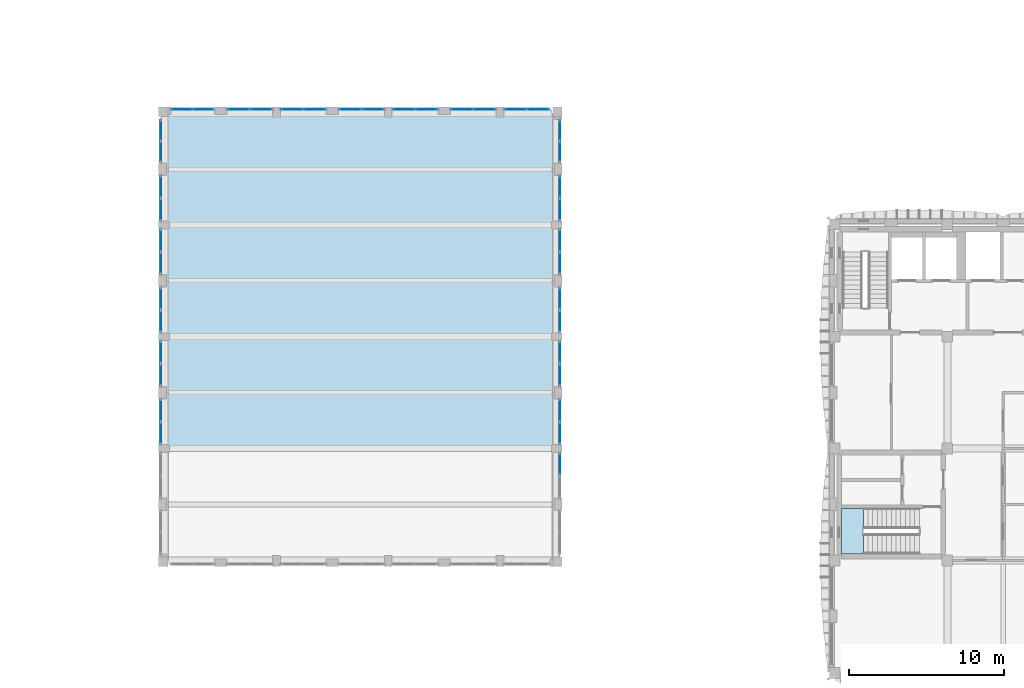
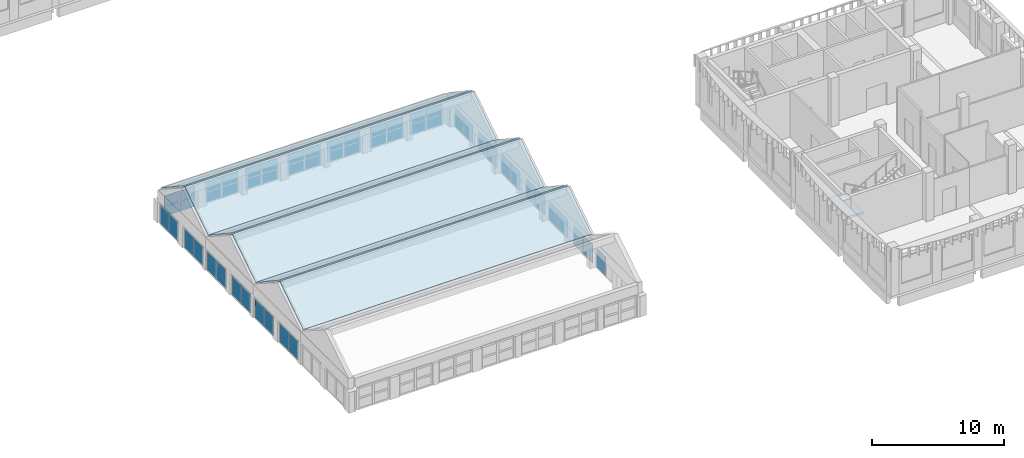
# One storey, part 8 of 38: 53 plates, 7 slabs, 21 elements without a shape of their own.
"""IFC4 building model written with IfcOpenShell, lengths in metres."""

from ifc_helpers import new_model, si_unit, direction, frame, origin, origin_2d, place, context, subcontext, project, spatial, polyline, rectangle, outline, extrude, material, layer, layer_set, type_object, element, aggregate, save


model = new_model("IFC4")

# Units and contexts
model_context = context("Model", 3, precision=1e-05, world=origin(), true_north=direction((0.0, 1.0)))
body_context = subcontext(model_context, "Body", "Model", "MODEL_VIEW")
ifc_project = project(units=[si_unit("LENGTHUNIT", "METRE"), si_unit("AREAUNIT", "SQUARE_METRE"), si_unit("VOLUMEUNIT", "CUBIC_METRE"), si_unit("PLANEANGLEUNIT", "RADIAN"), si_unit("MASSUNIT", "GRAM", prefix="KILO")], contexts=[model_context])

# Site, building, storey
site_placement = place(None, origin())
site = spatial("IfcSite", under=ifc_project, at=site_placement, CompositionType="ELEMENT")
building_placement = place(site_placement, origin())
building = spatial("IfcBuilding", under=site, at=building_placement, Name="Ussher Court Research Institute", CompositionType="ELEMENT")
storey_placement = place(building_placement, frame((0.0, 0.0, 23.39990234375)))
storey = spatial("IfcBuildingStorey", under=building, at=storey_placement, Name="L05", CompositionType="ELEMENT", Elevation=23.39990234375)

# Slabs
ifc_material_1 = material(Name="Concrete C35/45", Category="concrete")
ifc_layer_1 = layer(ifc_material_1, 0.14990234375)
ifc_layer_set_1 = layer_set([ifc_layer_1], Name="Concrete C35/45")
slab_type_1 = type_object("IfcSlabType", Name="Folded roof plate 150", PredefinedType="ROOF", material=ifc_layer_set_1)
slab_1_placement = place(storey_placement, frame((39.0, 18.39990234375, 3.0), z_axis=(0.0, -0.554686866501, 0.832059180667), x_axis=(1.0, 0.0, 0.0)))
element("IfcSlab", 1, at=slab_1_placement, inside=storey, type_object=slab_type_1, Name="FP150 V2 L05-03", PredefinedType="ROOF", context=body_context, shape_type="SweptSolid", body=[
    extrude(outline(polyline([(0.0, 0.0), (25.199951171875, 0.0), (25.199951171875, 4.226677362428985), (0.0, 4.226677362428985), (0.0, 0.0)])), origin(), (0.0, 0.0, -1.0), 0.14990234375),
])
slab_2_placement = place(storey_placement, frame((39.0, 25.60009765625, 3.0), z_axis=(0.0, 0.554686866501, 0.832059180667), x_axis=(1.0, 0.0, 0.0)))
element("IfcSlab", 2, at=slab_2_placement, inside=storey, type_object=slab_type_1, Name="FP150 V2 L05-04", PredefinedType="ROOF", context=body_context, shape_type="SweptSolid", body=[
    extrude(outline(polyline([(0.0, 0.0), (25.199951171875, 0.0), (25.199951171875, -4.226677362428985), (0.0, -4.226677362428985), (0.0, 0.0)])), origin(), (0.0, 0.0, -1.0), 0.14990234375),
])
slab_3_placement = place(storey_placement, frame((39.0, 25.60009765625, 3.0), z_axis=(0.0, -0.554713526448, 0.832041407368), x_axis=(1.0, 0.0, 0.0)))
element("IfcSlab", 3, at=slab_3_placement, inside=storey, type_object=slab_type_1, Name="FP150 V2 L05-05", PredefinedType="ROOF", context=body_context, shape_type="SweptSolid", body=[
    extrude(outline(polyline([(0.0, 0.0), (25.199951171875, 0.0), (25.199951171875, 4.22647422515012), (0.0, 4.22647422515012), (0.0, 0.0)])), origin(), (0.0, 0.0, -1.0), 0.14990234375),
])
slab_4_placement = place(storey_placement, frame((39.0, 32.800048828125, 3.0), z_axis=(0.0, 0.554686866501, 0.832059180667), x_axis=(1.0, 0.0, 0.0)))
element("IfcSlab", 4, at=slab_4_placement, inside=storey, type_object=slab_type_1, Name="FP150 V2 L05-06", PredefinedType="ROOF", context=body_context, shape_type="SweptSolid", body=[
    extrude(outline(polyline([(0.0, 0.0), (25.199951171875, 0.0), (25.199951171875, -4.226677362428985), (0.0, -4.226677362428985), (0.0, 0.0)])), origin(), (0.0, 0.0, -1.0), 0.14990234375),
])
slab_5_placement = place(storey_placement, frame((39.0, 32.800048828125, 3.0), z_axis=(0.0, -0.554686866501, 0.832059180667), x_axis=(1.0, 0.0, 0.0)))
element("IfcSlab", 5, at=slab_5_placement, inside=storey, type_object=slab_type_1, Name="FP150 V2 L05-07", PredefinedType="ROOF", context=body_context, shape_type="SweptSolid", body=[
    extrude(outline(polyline([(0.0, 0.0), (25.199951171875, 0.0), (25.199951171875, 4.226677362428985), (0.0, 4.226677362428985), (0.0, 0.0)])), origin(), (0.0, 0.0, -1.0), 0.14990234375),
])
slab_6_placement = place(storey_placement, frame((39.0, 40.0, 3.0), z_axis=(0.0, 0.554686866501, 0.832059180667), x_axis=(1.0, 0.0, 0.0)))
element("IfcSlab", 6, at=slab_6_placement, inside=storey, type_object=slab_type_1, Name="FP150 V2 L05-08", PredefinedType="ROOF", context=body_context, shape_type="SweptSolid", body=[
    extrude(outline(polyline([(0.0, 0.0), (25.199951171875, 0.0), (25.199951171875, -4.226677362428985), (0.0, -4.226677362428985), (0.0, 0.0)])), origin(), (0.0, 0.0, -1.0), 0.14990234375),
])

# Curtain wall, plates
ifc_material_2 = material(Name="Bronze anodised aluminium with low-e glass", Category="aluminium")
ifc_layer_2 = layer(ifc_material_2, 0.159912109375)
ifc_layer_set_2 = layer_set([ifc_layer_2], Name="Bronze anodised aluminium with low-e glass")
curtain_wall_type = type_object("IfcCurtainWallType", Name="Curtain wall atrium clerestory tall glazing", PredefinedType="NOTDEFINED", material=ifc_layer_set_2)
curtain_wall_1_placement = place(storey_placement, origin())
curtain_wall_1 = element("IfcCurtainWall", 7, at=curtain_wall_1_placement, inside=storey, type_object=curtain_wall_type, Name="Curtain wall CW3 L05", PredefinedType="NOTDEFINED")
ifc_material_3 = material(Name="Double glazed unit laminated")
ifc_layer_3 = layer(ifc_material_3, 0.035888671875)
ifc_layer_set_3 = layer_set([ifc_layer_3], Name="Double glazed unit laminated")
plate_type = type_object("IfcPlateType", Name="Glazing panel 36 mm", PredefinedType="CURTAIN_PANEL", material=ifc_layer_set_3)
plate_1_placement = place(storey_placement, frame((64.449951171875, 38.885009765625, 0.06005859375), z_axis=(0.0, 0.0, 1.0), x_axis=(0.0, -1.0, 0.0)))
plate_1 = element("IfcPlate", 8, at=plate_1_placement, type_object=plate_type, Name="CW3 panel 1.1", PredefinedType="CURTAIN_PANEL", context=body_context, shape_type="SweptSolid", body=[
    extrude(rectangle(XDim=1.31005859375, YDim=0.035888671875, at=origin_2d()), origin(), (0.0, 0.0, 1.0), 1.72998046875),
])
plate_2_placement = place(storey_placement, frame((64.449951171875, 37.514892578125, 0.06005859375), z_axis=(0.0, 0.0, 1.0), x_axis=(0.0, -1.0, 0.0)))
plate_2 = element("IfcPlate", 9, at=plate_2_placement, type_object=plate_type, Name="CW3 panel 2.1", PredefinedType="CURTAIN_PANEL", context=body_context, shape_type="SweptSolid", body=[
    extrude(rectangle(XDim=1.31005859375, YDim=0.035888671875, at=origin_2d()), origin(), (0.0, 0.0, 1.0), 1.72998046875),
])
aggregate(curtain_wall_1, [plate_1, plate_2])

curtain_wall_2_placement = place(storey_placement, origin())
curtain_wall_2 = element("IfcCurtainWall", 10, at=curtain_wall_2_placement, inside=storey, type_object=curtain_wall_type, Name="Curtain wall CW3 L05", PredefinedType="NOTDEFINED")
plate_3_placement = place(storey_placement, frame((64.449951171875, 35.24755859375, 0.06005859375), z_axis=(0.0, 0.0, 1.0), x_axis=(0.0, -1.0, 0.0)))
plate_3 = element("IfcPlate", 11, at=plate_3_placement, type_object=plate_type, Name="CW3 panel 1.1", PredefinedType="CURTAIN_PANEL", context=body_context, shape_type="SweptSolid", body=[
    extrude(rectangle(XDim=1.385009765625, YDim=0.035888671875, at=origin_2d()), origin(), (0.0, 0.0, 1.0), 1.72998046875),
])
plate_4_placement = place(storey_placement, frame((64.449951171875, 33.802490234375, 0.06005859375), z_axis=(0.0, 0.0, 1.0), x_axis=(0.0, -1.0, 0.0)))
plate_4 = element("IfcPlate", 12, at=plate_4_placement, type_object=plate_type, Name="CW3 panel 2.1", PredefinedType="CURTAIN_PANEL", context=body_context, shape_type="SweptSolid", body=[
    extrude(rectangle(XDim=1.385009765625, YDim=0.035888671875, at=origin_2d()), origin(), (0.0, 0.0, 1.0), 1.72998046875),
])
aggregate(curtain_wall_2, [plate_3, plate_4])

curtain_wall_3_placement = place(storey_placement, origin())
curtain_wall_3 = element("IfcCurtainWall", 13, at=curtain_wall_3_placement, inside=storey, type_object=curtain_wall_type, Name="Curtain wall CW3 L05", PredefinedType="NOTDEFINED")
plate_5_placement = place(storey_placement, frame((64.449951171875, 31.797607421875, 0.06005859375), z_axis=(0.0, 0.0, 1.0), x_axis=(0.0, -1.0, 0.0)))
plate_5 = element("IfcPlate", 14, at=plate_5_placement, type_object=plate_type, Name="CW3 panel 1.1", PredefinedType="CURTAIN_PANEL", context=body_context, shape_type="SweptSolid", body=[
    extrude(rectangle(XDim=1.385009765625, YDim=0.035888671875, at=origin_2d()), origin(), (0.0, 0.0, 1.0), 1.72998046875),
])
plate_6_placement = place(storey_placement, frame((64.449951171875, 30.3525390625, 0.06005859375), z_axis=(0.0, 0.0, 1.0), x_axis=(0.0, -1.0, 0.0)))
plate_6 = element("IfcPlate", 15, at=plate_6_placement, type_object=plate_type, Name="CW3 panel 2.1", PredefinedType="CURTAIN_PANEL", context=body_context, shape_type="SweptSolid", body=[
    extrude(rectangle(XDim=1.385009765625, YDim=0.035888671875, at=origin_2d()), origin(), (0.0, 0.0, 1.0), 1.72998046875),
])
aggregate(curtain_wall_3, [plate_5, plate_6])

curtain_wall_4_placement = place(storey_placement, origin())
curtain_wall_4 = element("IfcCurtainWall", 16, at=curtain_wall_4_placement, inside=storey, type_object=curtain_wall_type, Name="Curtain wall CW3 L05", PredefinedType="NOTDEFINED")
plate_7_placement = place(storey_placement, frame((64.449951171875, 28.047607421875, 0.06005859375), z_axis=(0.0, 0.0, 1.0), x_axis=(0.0, -1.0, 0.0)))
plate_7 = element("IfcPlate", 17, at=plate_7_placement, type_object=plate_type, Name="CW3 panel 1.1", PredefinedType="CURTAIN_PANEL", context=body_context, shape_type="SweptSolid", body=[
    extrude(rectangle(XDim=1.385009765625, YDim=0.035888671875, at=origin_2d()), origin(), (0.0, 0.0, 1.0), 1.72998046875),
])
plate_8_placement = place(storey_placement, frame((64.449951171875, 26.6025390625, 0.06005859375), z_axis=(0.0, 0.0, 1.0), x_axis=(0.0, -1.0, 0.0)))
plate_8 = element("IfcPlate", 18, at=plate_8_placement, type_object=plate_type, Name="CW3 panel 2.1", PredefinedType="CURTAIN_PANEL", context=body_context, shape_type="SweptSolid", body=[
    extrude(rectangle(XDim=1.385009765625, YDim=0.035888671875, at=origin_2d()), origin(), (0.0, 0.0, 1.0), 1.72998046875),
])
aggregate(curtain_wall_4, [plate_7, plate_8])

curtain_wall_5_placement = place(storey_placement, origin())
curtain_wall_5 = element("IfcCurtainWall", 19, at=curtain_wall_5_placement, inside=storey, type_object=curtain_wall_type, Name="Curtain wall CW3 L05", PredefinedType="NOTDEFINED")
plate_9_placement = place(storey_placement, frame((64.449951171875, 24.597412109375, 0.06005859375), z_axis=(0.0, 0.0, 1.0), x_axis=(0.0, -1.0, 0.0)))
plate_9 = element("IfcPlate", 20, at=plate_9_placement, type_object=plate_type, Name="CW3 panel 1.1", PredefinedType="CURTAIN_PANEL", context=body_context, shape_type="SweptSolid", body=[
    extrude(rectangle(XDim=1.385009765625, YDim=0.035888671875, at=origin_2d()), origin(), (0.0, 0.0, 1.0), 1.72998046875),
])
plate_10_placement = place(storey_placement, frame((64.449951171875, 23.152587890625, 0.06005859375), z_axis=(0.0, 0.0, 1.0), x_axis=(0.0, -1.0, 0.0)))
plate_10 = element("IfcPlate", 21, at=plate_10_placement, type_object=plate_type, Name="CW3 panel 2.1", PredefinedType="CURTAIN_PANEL", context=body_context, shape_type="SweptSolid", body=[
    extrude(rectangle(XDim=1.385009765625, YDim=0.035888671875, at=origin_2d()), origin(), (0.0, 0.0, 1.0), 1.72998046875),
])
aggregate(curtain_wall_5, [plate_9, plate_10])

curtain_wall_6_placement = place(storey_placement, origin())
curtain_wall_6 = element("IfcCurtainWall", 22, at=curtain_wall_6_placement, inside=storey, type_object=curtain_wall_type, Name="Curtain wall CW3 L05", PredefinedType="NOTDEFINED")
plate_11_placement = place(storey_placement, frame((64.449951171875, 20.847412109375, 0.06005859375), z_axis=(0.0, 0.0, 1.0), x_axis=(0.0, -1.0, 0.0)))
plate_11 = element("IfcPlate", 23, at=plate_11_placement, type_object=plate_type, Name="CW3 panel 1.1", PredefinedType="CURTAIN_PANEL", context=body_context, shape_type="SweptSolid", body=[
    extrude(rectangle(XDim=1.385009765625, YDim=0.035888671875, at=origin_2d()), origin(), (0.0, 0.0, 1.0), 1.72998046875),
])
plate_12_placement = place(storey_placement, frame((64.449951171875, 19.402587890625, 0.06005859375), z_axis=(0.0, 0.0, 1.0), x_axis=(0.0, -1.0, 0.0)))
plate_12 = element("IfcPlate", 24, at=plate_12_placement, type_object=plate_type, Name="CW3 panel 2.1", PredefinedType="CURTAIN_PANEL", context=body_context, shape_type="SweptSolid", body=[
    extrude(rectangle(XDim=1.385009765625, YDim=0.035888671875, at=origin_2d()), origin(), (0.0, 0.0, 1.0), 1.72998046875),
])
aggregate(curtain_wall_6, [plate_11, plate_12])

# Curtain wall, plate
curtain_wall_7_placement = place(storey_placement, origin())
curtain_wall_7 = element("IfcCurtainWall", 25, at=curtain_wall_7_placement, inside=storey, type_object=curtain_wall_type, Name="Curtain wall CW3 L05", PredefinedType="NOTDEFINED")
plate_13_placement = place(storey_placement, frame((64.449951171875, 17.3974609375, 0.06005859375), z_axis=(0.0, 0.0, 1.0), x_axis=(0.0, -1.0, 0.0)))
plate_13 = element("IfcPlate", 26, at=plate_13_placement, type_object=plate_type, Name="CW3 panel 1.1", PredefinedType="CURTAIN_PANEL", context=body_context, shape_type="SweptSolid", body=[
    extrude(rectangle(XDim=1.385009765625, YDim=0.035888671875, at=origin_2d()), origin(), (0.0, 0.0, 1.0), 1.72998046875),
])
aggregate(curtain_wall_7, [plate_13])

# Curtain wall, plates
curtain_wall_8_placement = place(storey_placement, origin())
curtain_wall_8 = element("IfcCurtainWall", 27, at=curtain_wall_8_placement, inside=storey, type_object=curtain_wall_type, Name="Curtain wall CW3 L05", PredefinedType="NOTDEFINED")
plate_14_placement = place(storey_placement, frame((38.75, 19.402587890625, 0.06005859375), z_axis=(0.0, 0.0, 1.0), x_axis=(0.0, 1.0, 0.0)))
plate_14 = element("IfcPlate", 28, at=plate_14_placement, type_object=plate_type, Name="CW3 panel 1.1", PredefinedType="CURTAIN_PANEL", context=body_context, shape_type="SweptSolid", body=[
    extrude(rectangle(XDim=1.385009765625, YDim=0.035888671875, at=origin_2d()), origin(), (0.0, 0.0, 1.0), 1.72998046875),
])
plate_15_placement = place(storey_placement, frame((38.75, 20.847412109375, 0.06005859375), z_axis=(0.0, 0.0, 1.0), x_axis=(0.0, 1.0, 0.0)))
plate_15 = element("IfcPlate", 29, at=plate_15_placement, type_object=plate_type, Name="CW3 panel 2.1", PredefinedType="CURTAIN_PANEL", context=body_context, shape_type="SweptSolid", body=[
    extrude(rectangle(XDim=1.385009765625, YDim=0.035888671875, at=origin_2d()), origin(), (0.0, 0.0, 1.0), 1.72998046875),
])
aggregate(curtain_wall_8, [plate_14, plate_15])

curtain_wall_9_placement = place(storey_placement, origin())
curtain_wall_9 = element("IfcCurtainWall", 30, at=curtain_wall_9_placement, inside=storey, type_object=curtain_wall_type, Name="Curtain wall CW3 L05", PredefinedType="NOTDEFINED")
plate_16_placement = place(storey_placement, frame((38.75, 23.152587890625, 0.06005859375), z_axis=(0.0, 0.0, 1.0), x_axis=(0.0, 1.0, 0.0)))
plate_16 = element("IfcPlate", 31, at=plate_16_placement, type_object=plate_type, Name="CW3 panel 1.1", PredefinedType="CURTAIN_PANEL", context=body_context, shape_type="SweptSolid", body=[
    extrude(rectangle(XDim=1.385009765625, YDim=0.035888671875, at=origin_2d()), origin(), (0.0, 0.0, 1.0), 1.72998046875),
])
plate_17_placement = place(storey_placement, frame((38.75, 24.597412109375, 0.06005859375), z_axis=(0.0, 0.0, 1.0), x_axis=(0.0, 1.0, 0.0)))
plate_17 = element("IfcPlate", 32, at=plate_17_placement, type_object=plate_type, Name="CW3 panel 2.1", PredefinedType="CURTAIN_PANEL", context=body_context, shape_type="SweptSolid", body=[
    extrude(rectangle(XDim=1.385009765625, YDim=0.035888671875, at=origin_2d()), origin(), (0.0, 0.0, 1.0), 1.72998046875),
])
aggregate(curtain_wall_9, [plate_16, plate_17])

curtain_wall_10_placement = place(storey_placement, origin())
curtain_wall_10 = element("IfcCurtainWall", 33, at=curtain_wall_10_placement, inside=storey, type_object=curtain_wall_type, Name="Curtain wall CW3 L05", PredefinedType="NOTDEFINED")
plate_18_placement = place(storey_placement, frame((38.75, 26.6025390625, 0.06005859375), z_axis=(0.0, 0.0, 1.0), x_axis=(0.0, 1.0, 0.0)))
plate_18 = element("IfcPlate", 34, at=plate_18_placement, type_object=plate_type, Name="CW3 panel 1.1", PredefinedType="CURTAIN_PANEL", context=body_context, shape_type="SweptSolid", body=[
    extrude(rectangle(XDim=1.385009765625, YDim=0.035888671875, at=origin_2d()), origin(), (0.0, 0.0, 1.0), 1.72998046875),
])
plate_19_placement = place(storey_placement, frame((38.75, 28.047607421875, 0.06005859375), z_axis=(0.0, 0.0, 1.0), x_axis=(0.0, 1.0, 0.0)))
plate_19 = element("IfcPlate", 35, at=plate_19_placement, type_object=plate_type, Name="CW3 panel 2.1", PredefinedType="CURTAIN_PANEL", context=body_context, shape_type="SweptSolid", body=[
    extrude(rectangle(XDim=1.385009765625, YDim=0.035888671875, at=origin_2d()), origin(), (0.0, 0.0, 1.0), 1.72998046875),
])
aggregate(curtain_wall_10, [plate_18, plate_19])

curtain_wall_11_placement = place(storey_placement, origin())
curtain_wall_11 = element("IfcCurtainWall", 36, at=curtain_wall_11_placement, inside=storey, type_object=curtain_wall_type, Name="Curtain wall CW3 L05", PredefinedType="NOTDEFINED")
plate_20_placement = place(storey_placement, frame((38.75, 30.3525390625, 0.06005859375), z_axis=(0.0, 0.0, 1.0), x_axis=(0.0, 1.0, 0.0)))
plate_20 = element("IfcPlate", 37, at=plate_20_placement, type_object=plate_type, Name="CW3 panel 1.1", PredefinedType="CURTAIN_PANEL", context=body_context, shape_type="SweptSolid", body=[
    extrude(rectangle(XDim=1.385009765625, YDim=0.035888671875, at=origin_2d()), origin(), (0.0, 0.0, 1.0), 1.72998046875),
])
plate_21_placement = place(storey_placement, frame((38.75, 31.797607421875, 0.06005859375), z_axis=(0.0, 0.0, 1.0), x_axis=(0.0, 1.0, 0.0)))
plate_21 = element("IfcPlate", 38, at=plate_21_placement, type_object=plate_type, Name="CW3 panel 2.1", PredefinedType="CURTAIN_PANEL", context=body_context, shape_type="SweptSolid", body=[
    extrude(rectangle(XDim=1.385009765625, YDim=0.035888671875, at=origin_2d()), origin(), (0.0, 0.0, 1.0), 1.72998046875),
])
aggregate(curtain_wall_11, [plate_20, plate_21])

curtain_wall_12_placement = place(storey_placement, origin())
curtain_wall_12 = element("IfcCurtainWall", 39, at=curtain_wall_12_placement, inside=storey, type_object=curtain_wall_type, Name="Curtain wall CW3 L05", PredefinedType="NOTDEFINED")
plate_22_placement = place(storey_placement, frame((38.75, 33.802490234375, 0.06005859375), z_axis=(0.0, 0.0, 1.0), x_axis=(0.0, 1.0, 0.0)))
plate_22 = element("IfcPlate", 40, at=plate_22_placement, type_object=plate_type, Name="CW3 panel 1.1", PredefinedType="CURTAIN_PANEL", context=body_context, shape_type="SweptSolid", body=[
    extrude(rectangle(XDim=1.385009765625, YDim=0.035888671875, at=origin_2d()), origin(), (0.0, 0.0, 1.0), 1.72998046875),
])
plate_23_placement = place(storey_placement, frame((38.75, 35.24755859375, 0.06005859375), z_axis=(0.0, 0.0, 1.0), x_axis=(0.0, 1.0, 0.0)))
plate_23 = element("IfcPlate", 41, at=plate_23_placement, type_object=plate_type, Name="CW3 panel 2.1", PredefinedType="CURTAIN_PANEL", context=body_context, shape_type="SweptSolid", body=[
    extrude(rectangle(XDim=1.385009765625, YDim=0.035888671875, at=origin_2d()), origin(), (0.0, 0.0, 1.0), 1.72998046875),
])
aggregate(curtain_wall_12, [plate_22, plate_23])

curtain_wall_13_placement = place(storey_placement, origin())
curtain_wall_13 = element("IfcCurtainWall", 42, at=curtain_wall_13_placement, inside=storey, type_object=curtain_wall_type, Name="Curtain wall CW3 L05", PredefinedType="NOTDEFINED")
plate_24_placement = place(storey_placement, frame((38.75, 37.514892578125, 0.06005859375), z_axis=(0.0, 0.0, 1.0), x_axis=(0.0, 1.0, 0.0)))
plate_24 = element("IfcPlate", 43, at=plate_24_placement, type_object=plate_type, Name="CW3 panel 1.1", PredefinedType="CURTAIN_PANEL", context=body_context, shape_type="SweptSolid", body=[
    extrude(rectangle(XDim=1.31005859375, YDim=0.035888671875, at=origin_2d()), origin(), (0.0, 0.0, 1.0), 1.72998046875),
])
plate_25_placement = place(storey_placement, frame((38.75, 38.885009765625, 0.06005859375), z_axis=(0.0, 0.0, 1.0), x_axis=(0.0, 1.0, 0.0)))
plate_25 = element("IfcPlate", 44, at=plate_25_placement, type_object=plate_type, Name="CW3 panel 2.1", PredefinedType="CURTAIN_PANEL", context=body_context, shape_type="SweptSolid", body=[
    extrude(rectangle(XDim=1.31005859375, YDim=0.035888671875, at=origin_2d()), origin(), (0.0, 0.0, 1.0), 1.72998046875),
])
aggregate(curtain_wall_13, [plate_24, plate_25])

curtain_wall_14_placement = place(storey_placement, origin())
curtain_wall_14 = element("IfcCurtainWall", 45, at=curtain_wall_14_placement, inside=storey, type_object=curtain_wall_type, Name="Curtain wall CW3 L05", PredefinedType="NOTDEFINED")
plate_26_placement = place(storey_placement, frame((40.114990234375, 40.25, 0.06005859375), z_axis=(0.0, 0.0, 1.0), x_axis=(1.0, 0.0, 0.0)))
plate_26 = element("IfcPlate", 46, at=plate_26_placement, type_object=plate_type, Name="CW3 panel 1.1", PredefinedType="CURTAIN_PANEL", context=body_context, shape_type="SweptSolid", body=[
    extrude(rectangle(XDim=1.31005859375, YDim=0.035888671875, at=origin_2d()), origin(), (0.0, 0.0, 1.0), 0.909912109375),
])
plate_27_placement = place(storey_placement, frame((40.114990234375, 40.25, 1.0302734375), z_axis=(0.0, 0.0, 1.0), x_axis=(1.0, 0.0, 0.0)))
plate_27 = element("IfcPlate", 47, at=plate_27_placement, type_object=plate_type, Name="CW3 panel 1.2", PredefinedType="CURTAIN_PANEL", context=body_context, shape_type="SweptSolid", body=[
    extrude(rectangle(XDim=1.31005859375, YDim=0.035888671875, at=origin_2d()), origin(), (0.0, 0.0, 1.0), 0.909912109375),
])
plate_28_placement = place(storey_placement, frame((41.485107421875, 40.25, 0.06005859375), z_axis=(0.0, 0.0, 1.0), x_axis=(1.0, 0.0, 0.0)))
plate_28 = element("IfcPlate", 48, at=plate_28_placement, type_object=plate_type, Name="CW3 panel 2.1", PredefinedType="CURTAIN_PANEL", context=body_context, shape_type="SweptSolid", body=[
    extrude(rectangle(XDim=1.31005859375, YDim=0.035888671875, at=origin_2d()), origin(), (0.0, 0.0, 1.0), 0.909912109375),
])
plate_29_placement = place(storey_placement, frame((41.485107421875, 40.25, 1.0302734375), z_axis=(0.0, 0.0, 1.0), x_axis=(1.0, 0.0, 0.0)))
plate_29 = element("IfcPlate", 49, at=plate_29_placement, type_object=plate_type, Name="CW3 panel 2.2", PredefinedType="CURTAIN_PANEL", context=body_context, shape_type="SweptSolid", body=[
    extrude(rectangle(XDim=1.31005859375, YDim=0.035888671875, at=origin_2d()), origin(), (0.0, 0.0, 1.0), 0.909912109375),
])
aggregate(curtain_wall_14, [plate_26, plate_27, plate_28, plate_29])

curtain_wall_15_placement = place(storey_placement, origin())
curtain_wall_15 = element("IfcCurtainWall", 50, at=curtain_wall_15_placement, inside=storey, type_object=curtain_wall_type, Name="Curtain wall CW3 L05", PredefinedType="NOTDEFINED")
plate_30_placement = place(storey_placement, frame((43.75244140625, 40.25, 0.06005859375), z_axis=(0.0, 0.0, 1.0), x_axis=(1.0, 0.0, 0.0)))
plate_30 = element("IfcPlate", 51, at=plate_30_placement, type_object=plate_type, Name="CW3 panel 1.1", PredefinedType="CURTAIN_PANEL", context=body_context, shape_type="SweptSolid", body=[
    extrude(rectangle(XDim=1.385009765625, YDim=0.035888671875, at=origin_2d()), origin(), (0.0, 0.0, 1.0), 0.909912109375),
])
plate_31_placement = place(storey_placement, frame((43.75244140625, 40.25, 1.0302734375), z_axis=(0.0, 0.0, 1.0), x_axis=(1.0, 0.0, 0.0)))
plate_31 = element("IfcPlate", 52, at=plate_31_placement, type_object=plate_type, Name="CW3 panel 1.2", PredefinedType="CURTAIN_PANEL", context=body_context, shape_type="SweptSolid", body=[
    extrude(rectangle(XDim=1.385009765625, YDim=0.035888671875, at=origin_2d()), origin(), (0.0, 0.0, 1.0), 0.909912109375),
])
plate_32_placement = place(storey_placement, frame((45.197509765625, 40.25, 0.06005859375), z_axis=(0.0, 0.0, 1.0), x_axis=(1.0, 0.0, 0.0)))
plate_32 = element("IfcPlate", 53, at=plate_32_placement, type_object=plate_type, Name="CW3 panel 2.1", PredefinedType="CURTAIN_PANEL", context=body_context, shape_type="SweptSolid", body=[
    extrude(rectangle(XDim=1.385009765625, YDim=0.035888671875, at=origin_2d()), origin(), (0.0, 0.0, 1.0), 0.909912109375),
])
plate_33_placement = place(storey_placement, frame((45.197509765625, 40.25, 1.0302734375), z_axis=(0.0, 0.0, 1.0), x_axis=(1.0, 0.0, 0.0)))
plate_33 = element("IfcPlate", 54, at=plate_33_placement, type_object=plate_type, Name="CW3 panel 2.2", PredefinedType="CURTAIN_PANEL", context=body_context, shape_type="SweptSolid", body=[
    extrude(rectangle(XDim=1.385009765625, YDim=0.035888671875, at=origin_2d()), origin(), (0.0, 0.0, 1.0), 0.909912109375),
])
aggregate(curtain_wall_15, [plate_30, plate_31, plate_32, plate_33])

curtain_wall_16_placement = place(storey_placement, origin())
curtain_wall_16 = element("IfcCurtainWall", 55, at=curtain_wall_16_placement, inside=storey, type_object=curtain_wall_type, Name="Curtain wall CW3 L05", PredefinedType="NOTDEFINED")
plate_34_placement = place(storey_placement, frame((47.202392578125, 40.25, 0.06005859375), z_axis=(0.0, 0.0, 1.0), x_axis=(1.0, 0.0, 0.0)))
plate_34 = element("IfcPlate", 56, at=plate_34_placement, type_object=plate_type, Name="CW3 panel 1.1", PredefinedType="CURTAIN_PANEL", context=body_context, shape_type="SweptSolid", body=[
    extrude(rectangle(XDim=1.385009765625, YDim=0.035888671875, at=origin_2d()), origin(), (0.0, 0.0, 1.0), 0.909912109375),
])
plate_35_placement = place(storey_placement, frame((47.202392578125, 40.25, 1.0302734375), z_axis=(0.0, 0.0, 1.0), x_axis=(1.0, 0.0, 0.0)))
plate_35 = element("IfcPlate", 57, at=plate_35_placement, type_object=plate_type, Name="CW3 panel 1.2", PredefinedType="CURTAIN_PANEL", context=body_context, shape_type="SweptSolid", body=[
    extrude(rectangle(XDim=1.385009765625, YDim=0.035888671875, at=origin_2d()), origin(), (0.0, 0.0, 1.0), 0.909912109375),
])
plate_36_placement = place(storey_placement, frame((48.6474609375, 40.25, 0.06005859375), z_axis=(0.0, 0.0, 1.0), x_axis=(1.0, 0.0, 0.0)))
plate_36 = element("IfcPlate", 58, at=plate_36_placement, type_object=plate_type, Name="CW3 panel 2.1", PredefinedType="CURTAIN_PANEL", context=body_context, shape_type="SweptSolid", body=[
    extrude(rectangle(XDim=1.385009765625, YDim=0.035888671875, at=origin_2d()), origin(), (0.0, 0.0, 1.0), 0.909912109375),
])
plate_37_placement = place(storey_placement, frame((48.6474609375, 40.25, 1.0302734375), z_axis=(0.0, 0.0, 1.0), x_axis=(1.0, 0.0, 0.0)))
plate_37 = element("IfcPlate", 59, at=plate_37_placement, type_object=plate_type, Name="CW3 panel 2.2", PredefinedType="CURTAIN_PANEL", context=body_context, shape_type="SweptSolid", body=[
    extrude(rectangle(XDim=1.385009765625, YDim=0.035888671875, at=origin_2d()), origin(), (0.0, 0.0, 1.0), 0.909912109375),
])
aggregate(curtain_wall_16, [plate_34, plate_35, plate_36, plate_37])

curtain_wall_17_placement = place(storey_placement, origin())
curtain_wall_17 = element("IfcCurtainWall", 60, at=curtain_wall_17_placement, inside=storey, type_object=curtain_wall_type, Name="Curtain wall CW3 L05", PredefinedType="NOTDEFINED")
plate_38_placement = place(storey_placement, frame((50.952392578125, 40.25, 0.06005859375), z_axis=(0.0, 0.0, 1.0), x_axis=(1.0, 0.0, 0.0)))
plate_38 = element("IfcPlate", 61, at=plate_38_placement, type_object=plate_type, Name="CW3 panel 1.1", PredefinedType="CURTAIN_PANEL", context=body_context, shape_type="SweptSolid", body=[
    extrude(rectangle(XDim=1.385009765625, YDim=0.035888671875, at=origin_2d()), origin(), (0.0, 0.0, 1.0), 0.909912109375),
])
plate_39_placement = place(storey_placement, frame((50.952392578125, 40.25, 1.0302734375), z_axis=(0.0, 0.0, 1.0), x_axis=(1.0, 0.0, 0.0)))
plate_39 = element("IfcPlate", 62, at=plate_39_placement, type_object=plate_type, Name="CW3 panel 1.2", PredefinedType="CURTAIN_PANEL", context=body_context, shape_type="SweptSolid", body=[
    extrude(rectangle(XDim=1.385009765625, YDim=0.035888671875, at=origin_2d()), origin(), (0.0, 0.0, 1.0), 0.909912109375),
])
plate_40_placement = place(storey_placement, frame((52.3974609375, 40.25, 0.06005859375), z_axis=(0.0, 0.0, 1.0), x_axis=(1.0, 0.0, 0.0)))
plate_40 = element("IfcPlate", 63, at=plate_40_placement, type_object=plate_type, Name="CW3 panel 2.1", PredefinedType="CURTAIN_PANEL", context=body_context, shape_type="SweptSolid", body=[
    extrude(rectangle(XDim=1.385009765625, YDim=0.035888671875, at=origin_2d()), origin(), (0.0, 0.0, 1.0), 0.909912109375),
])
plate_41_placement = place(storey_placement, frame((52.3974609375, 40.25, 1.0302734375), z_axis=(0.0, 0.0, 1.0), x_axis=(1.0, 0.0, 0.0)))
plate_41 = element("IfcPlate", 64, at=plate_41_placement, type_object=plate_type, Name="CW3 panel 2.2", PredefinedType="CURTAIN_PANEL", context=body_context, shape_type="SweptSolid", body=[
    extrude(rectangle(XDim=1.385009765625, YDim=0.035888671875, at=origin_2d()), origin(), (0.0, 0.0, 1.0), 0.909912109375),
])
aggregate(curtain_wall_17, [plate_38, plate_39, plate_40, plate_41])

curtain_wall_18_placement = place(storey_placement, origin())
curtain_wall_18 = element("IfcCurtainWall", 65, at=curtain_wall_18_placement, inside=storey, type_object=curtain_wall_type, Name="Curtain wall CW3 L05", PredefinedType="NOTDEFINED")
plate_42_placement = place(storey_placement, frame((54.402587890625, 40.25, 0.06005859375), z_axis=(0.0, 0.0, 1.0), x_axis=(1.0, 0.0, 0.0)))
plate_42 = element("IfcPlate", 66, at=plate_42_placement, type_object=plate_type, Name="CW3 panel 1.1", PredefinedType="CURTAIN_PANEL", context=body_context, shape_type="SweptSolid", body=[
    extrude(rectangle(XDim=1.385009765625, YDim=0.035888671875, at=origin_2d()), origin(), (0.0, 0.0, 1.0), 0.909912109375),
])
plate_43_placement = place(storey_placement, frame((54.402587890625, 40.25, 1.0302734375), z_axis=(0.0, 0.0, 1.0), x_axis=(1.0, 0.0, 0.0)))
plate_43 = element("IfcPlate", 67, at=plate_43_placement, type_object=plate_type, Name="CW3 panel 1.2", PredefinedType="CURTAIN_PANEL", context=body_context, shape_type="SweptSolid", body=[
    extrude(rectangle(XDim=1.385009765625, YDim=0.035888671875, at=origin_2d()), origin(), (0.0, 0.0, 1.0), 0.909912109375),
])
plate_44_placement = place(storey_placement, frame((55.847412109375, 40.25, 0.06005859375), z_axis=(0.0, 0.0, 1.0), x_axis=(1.0, 0.0, 0.0)))
plate_44 = element("IfcPlate", 68, at=plate_44_placement, type_object=plate_type, Name="CW3 panel 2.1", PredefinedType="CURTAIN_PANEL", context=body_context, shape_type="SweptSolid", body=[
    extrude(rectangle(XDim=1.385009765625, YDim=0.035888671875, at=origin_2d()), origin(), (0.0, 0.0, 1.0), 0.909912109375),
])
plate_45_placement = place(storey_placement, frame((55.847412109375, 40.25, 1.0302734375), z_axis=(0.0, 0.0, 1.0), x_axis=(1.0, 0.0, 0.0)))
plate_45 = element("IfcPlate", 69, at=plate_45_placement, type_object=plate_type, Name="CW3 panel 2.2", PredefinedType="CURTAIN_PANEL", context=body_context, shape_type="SweptSolid", body=[
    extrude(rectangle(XDim=1.385009765625, YDim=0.035888671875, at=origin_2d()), origin(), (0.0, 0.0, 1.0), 0.909912109375),
])
aggregate(curtain_wall_18, [plate_42, plate_43, plate_44, plate_45])

curtain_wall_19_placement = place(storey_placement, origin())
curtain_wall_19 = element("IfcCurtainWall", 70, at=curtain_wall_19_placement, inside=storey, type_object=curtain_wall_type, Name="Curtain wall CW3 L05", PredefinedType="NOTDEFINED")
plate_46_placement = place(storey_placement, frame((58.152587890625, 40.25, 0.06005859375), z_axis=(0.0, 0.0, 1.0), x_axis=(1.0, 0.0, 0.0)))
plate_46 = element("IfcPlate", 71, at=plate_46_placement, type_object=plate_type, Name="CW3 panel 1.1", PredefinedType="CURTAIN_PANEL", context=body_context, shape_type="SweptSolid", body=[
    extrude(rectangle(XDim=1.385009765625, YDim=0.035888671875, at=origin_2d()), origin(), (0.0, 0.0, 1.0), 0.909912109375),
])
plate_47_placement = place(storey_placement, frame((58.152587890625, 40.25, 1.0302734375), z_axis=(0.0, 0.0, 1.0), x_axis=(1.0, 0.0, 0.0)))
plate_47 = element("IfcPlate", 72, at=plate_47_placement, type_object=plate_type, Name="CW3 panel 1.2", PredefinedType="CURTAIN_PANEL", context=body_context, shape_type="SweptSolid", body=[
    extrude(rectangle(XDim=1.385009765625, YDim=0.035888671875, at=origin_2d()), origin(), (0.0, 0.0, 1.0), 0.909912109375),
])
plate_48_placement = place(storey_placement, frame((59.597412109375, 40.25, 0.06005859375), z_axis=(0.0, 0.0, 1.0), x_axis=(1.0, 0.0, 0.0)))
plate_48 = element("IfcPlate", 73, at=plate_48_placement, type_object=plate_type, Name="CW3 panel 2.1", PredefinedType="CURTAIN_PANEL", context=body_context, shape_type="SweptSolid", body=[
    extrude(rectangle(XDim=1.385009765625, YDim=0.035888671875, at=origin_2d()), origin(), (0.0, 0.0, 1.0), 0.909912109375),
])
plate_49_placement = place(storey_placement, frame((59.597412109375, 40.25, 1.0302734375), z_axis=(0.0, 0.0, 1.0), x_axis=(1.0, 0.0, 0.0)))
plate_49 = element("IfcPlate", 74, at=plate_49_placement, type_object=plate_type, Name="CW3 panel 2.2", PredefinedType="CURTAIN_PANEL", context=body_context, shape_type="SweptSolid", body=[
    extrude(rectangle(XDim=1.385009765625, YDim=0.035888671875, at=origin_2d()), origin(), (0.0, 0.0, 1.0), 0.909912109375),
])
aggregate(curtain_wall_19, [plate_46, plate_47, plate_48, plate_49])

curtain_wall_20_placement = place(storey_placement, origin())
curtain_wall_20 = element("IfcCurtainWall", 75, at=curtain_wall_20_placement, inside=storey, type_object=curtain_wall_type, Name="Curtain wall CW3 L05", PredefinedType="NOTDEFINED")
plate_50_placement = place(storey_placement, frame((61.6025390625, 40.25, 0.06005859375), z_axis=(0.0, 0.0, 1.0), x_axis=(1.0, 0.0, 0.0)))
plate_50 = element("IfcPlate", 76, at=plate_50_placement, type_object=plate_type, Name="CW3 panel 1.1", PredefinedType="CURTAIN_PANEL", context=body_context, shape_type="SweptSolid", body=[
    extrude(rectangle(XDim=1.385009765625, YDim=0.035888671875, at=origin_2d()), origin(), (0.0, 0.0, 1.0), 0.909912109375),
])
plate_51_placement = place(storey_placement, frame((61.6025390625, 40.25, 1.0302734375), z_axis=(0.0, 0.0, 1.0), x_axis=(1.0, 0.0, 0.0)))
plate_51 = element("IfcPlate", 77, at=plate_51_placement, type_object=plate_type, Name="CW3 panel 1.2", PredefinedType="CURTAIN_PANEL", context=body_context, shape_type="SweptSolid", body=[
    extrude(rectangle(XDim=1.385009765625, YDim=0.035888671875, at=origin_2d()), origin(), (0.0, 0.0, 1.0), 0.909912109375),
])
plate_52_placement = place(storey_placement, frame((63.047607421875, 40.25, 0.06005859375), z_axis=(0.0, 0.0, 1.0), x_axis=(1.0, 0.0, 0.0)))
plate_52 = element("IfcPlate", 78, at=plate_52_placement, type_object=plate_type, Name="CW3 panel 2.1", PredefinedType="CURTAIN_PANEL", context=body_context, shape_type="SweptSolid", body=[
    extrude(rectangle(XDim=1.385009765625, YDim=0.035888671875, at=origin_2d()), origin(), (0.0, 0.0, 1.0), 0.909912109375),
])
plate_53_placement = place(storey_placement, frame((63.047607421875, 40.25, 1.0302734375), z_axis=(0.0, 0.0, 1.0), x_axis=(1.0, 0.0, 0.0)))
plate_53 = element("IfcPlate", 79, at=plate_53_placement, type_object=plate_type, Name="CW3 panel 2.2", PredefinedType="CURTAIN_PANEL", context=body_context, shape_type="SweptSolid", body=[
    extrude(rectangle(XDim=1.385009765625, YDim=0.035888671875, at=origin_2d()), origin(), (0.0, 0.0, 1.0), 0.909912109375),
])
aggregate(curtain_wall_20, [plate_50, plate_51, plate_52, plate_53])

# Stair, slab
ifc_material_4 = material(Name="Concrete C35/45", Category="concrete")
stair_type = type_object("IfcStairType", Name="Core stair 26 risers 173 mm x 300 going 1300 wide", PredefinedType="HALF_TURN_STAIR", material=ifc_material_4)
stair_placement = place(storey_placement, origin())
stair = element("IfcStair", 80, at=stair_placement, inside=storey, type_object=stair_type, Name="L05 Stair T2", PredefinedType="HALF_TURN_STAIR")
ifc_material_5 = material(Name="Concrete C35/45", Category="concrete")
ifc_layer_4 = layer(ifc_material_5, 0.199951171875)
ifc_layer_set_4 = layer_set([ifc_layer_4], Name="Concrete C35/45")
slab_type_2 = type_object("IfcSlabType", Name="Stair landing 200 RC", PredefinedType="LANDING", material=ifc_layer_set_4)
slab_7_placement = place(storey_placement, frame((0.0, 0.0, 2.050048828125)))
slab_7 = element("IfcSlab", 81, at=slab_7_placement, type_object=slab_type_2, Name="T2 landing 1", PredefinedType="LANDING", context=body_context, shape_type="SweptSolid", body=[
    extrude(outline(polyline([(84.0, 14.550048828125), (82.60009765625, 14.550048828125), (82.60009765625, 11.60009765625), (84.0, 11.60009765625), (84.0, 14.550048828125)])), origin(), (0.0, 0.0, 1.0), 0.199951171875),
])
aggregate(stair, [slab_7])

save(model, "model.ifc")
